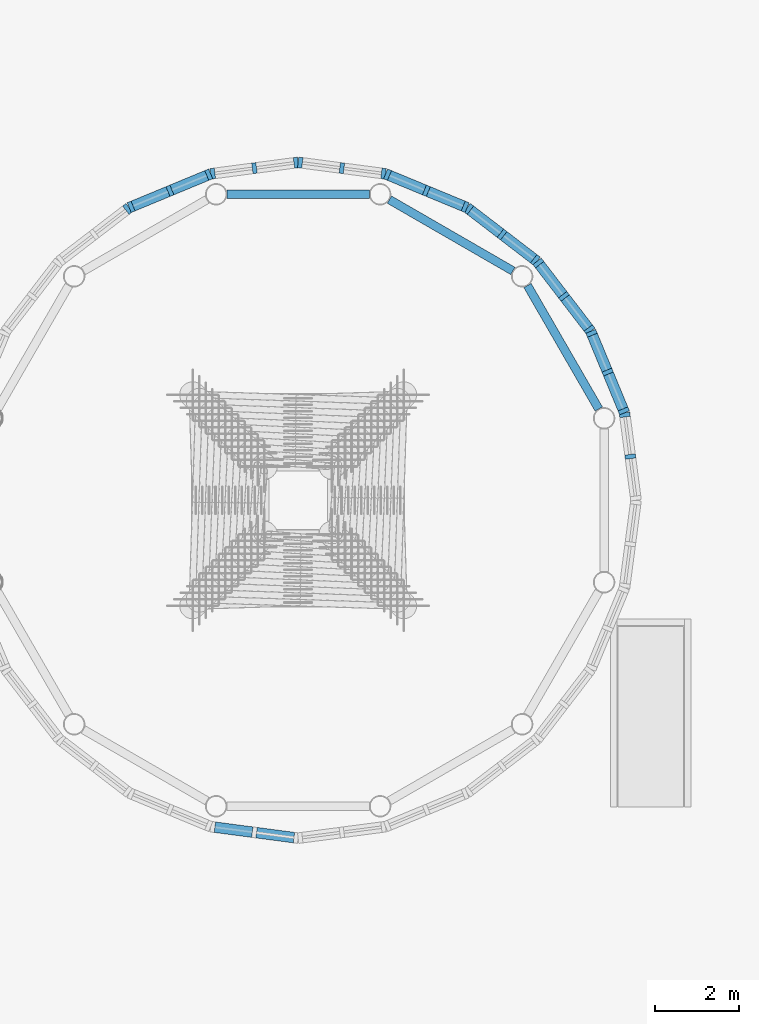
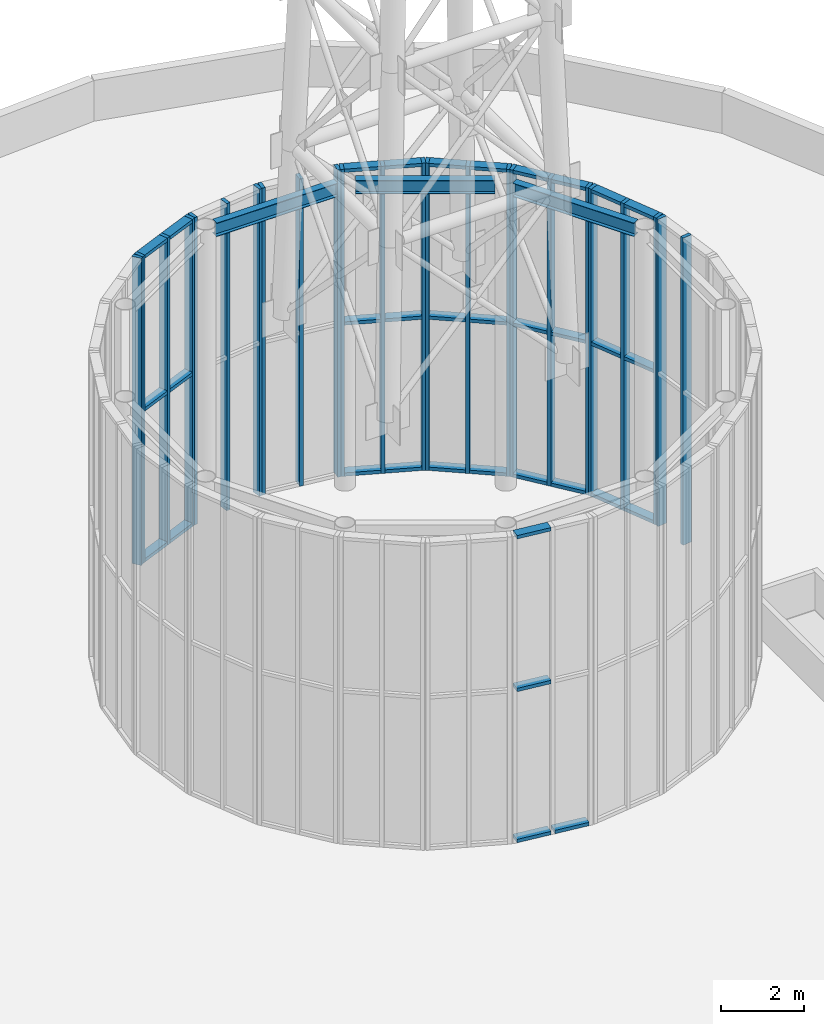
# One storey, part 7 of 11: 58 members, 3 beams, 10 elements without a shape of their own.
"""IFC4 building model written with IfcOpenShell, lengths in metres."""

from ifc_helpers import new_model, si_unit, direction, frame, origin, origin_2d, place, context, subcontext, project, spatial, rectangle, i_section, extrude, material, material_profile, profile_set, type_object, element, aggregate, save


model = new_model("IFC4")

# Units and contexts
model_context = context("Model", 3, precision=1e-05, world=origin(), true_north=direction((0.0, 1.0)))
body_context = subcontext(model_context, "Body", "Model", "MODEL_VIEW")
ifc_project = project(units=[si_unit("LENGTHUNIT", "METRE"), si_unit("AREAUNIT", "SQUARE_METRE"), si_unit("VOLUMEUNIT", "CUBIC_METRE"), si_unit("PLANEANGLEUNIT", "RADIAN"), si_unit("MASSUNIT", "GRAM", prefix="KILO")], contexts=[model_context])

# Site, building, storey
site_placement = place(None, origin())
site = spatial("IfcSite", under=ifc_project, at=site_placement, CompositionType="ELEMENT")
building_placement = place(site_placement, origin())
building = spatial("IfcBuilding", under=site, at=building_placement, Name="Vermilion Reach Broadcast Tower", CompositionType="ELEMENT")
storey_placement = place(building_placement, frame((0.0, 0.0, 329.699951171875)))
storey = spatial("IfcBuildingStorey", under=building, at=storey_placement, Name="RF", CompositionType="ELEMENT", Elevation=329.699951171875)

# Beams
ifc_material_1 = material(Name="Steel S355J2", Category="steel")
ifc_material_profile_1 = material_profile(ifc_material_1, i_section(OverallWidth=0.199951171875, OverallDepth=0.39990234375, WebThickness=0.008056640625, FlangeThickness=0.012939453125, at=origin_2d()), Name="S355J2 HN 400x200x8x13")
ifc_profile_set_1 = profile_set([ifc_material_profile_1], Name="Steel S355J2")
beam_type = type_object("IfcBeamType", Name="DB1 HN 400x200x8x13", PredefinedType="BEAM", material=ifc_profile_set_1)
for number, where, z_axis, x_axis, name in (
    (1, (1.117431640625, 2.1611328125, 8.85009765625), (-0.499983428175, 0.866034971321, 0.0), (-0.866034971321, -0.499983428175, 0.0), "Plant drum ring beam DB1-01"),
    (2, (-0.916748046875, 5.430419921875, 8.85009765625), (-0.866034971321, 0.499983428175, 0.0), (-0.499983428175, -0.866034971321, 0.0), "Plant drum ring beam DB1-02"),
):
    element("IfcBeam", number, at=place(storey_placement, frame(where, z_axis=z_axis, x_axis=x_axis)), inside=storey, type_object=beam_type, Name=name, PredefinedType="BEAM", context=body_context, shape_type="SweptSolid", body=[
        extrude(i_section(OverallWidth=0.199951171875, OverallDepth=0.39990234375, WebThickness=0.008056640625, FlangeThickness=0.012939453125, at=origin_2d()), origin(), (0.0, 0.0, 1.0), 3.3740234375),
    ])
beam_placement = place(storey_placement, frame((-4.312744140625, 7.244384765625, 8.85009765625), z_axis=(-1.0, 0.0, 0.0), x_axis=(0.0, -1.0, 0.0)))
element("IfcBeam", 3, at=beam_placement, inside=storey, type_object=beam_type, Name="Plant drum ring beam DB1-03", PredefinedType="BEAM", context=body_context, shape_type="SweptSolid", body=[
    extrude(i_section(OverallWidth=0.199951171875, OverallDepth=0.39990234375, WebThickness=0.008056640625, FlangeThickness=0.012939453125, at=origin_2d()), origin(), (0.0, 0.0, 1.0), 3.37451171875),
])

# Curtain wall, members
ifc_material_2 = material(Name="Low-e laminated clear glass in aluminium frame", Category="aluminium")
curtain_wall_type = type_object("IfcCurtainWallType", Name="Drum louvre curtain wall", PredefinedType="NOTDEFINED", material=ifc_material_2)
placement = place(storey_placement, origin())
curtain_wall_1 = element("IfcCurtainWall", 4, at=placement, inside=storey, type_object=curtain_wall_type, Name="Drum louvre wall RF 01", PredefinedType="NOTDEFINED")
ifc_material_3 = material(Name="Anodised aluminium", Category="aluminium")
ifc_material_profile_2 = material_profile(ifc_material_3, rectangle(XDim=0.25, YDim=0.10009765625, at=origin_2d()), Name="Drum louvre mullion 100 x 250")
ifc_profile_set_2 = profile_set([ifc_material_profile_2], Name="Anodised aluminium")
member_type_1 = type_object("IfcMemberType", Name="Drum louvre mullion 100 x 250", PredefinedType="MULLION", material=ifc_profile_set_2)
member_1_placement = place(storey_placement, frame((1.86376953125, 1.03515625, 0.0), z_axis=(0.0, 0.0, 1.0), x_axis=(-0.991444861374, -0.13052619222, 0.0)))
member_1 = element("IfcMember", 5, at=member_1_placement, type_object=member_type_1, Name="Drum louvre wall mullion RF 01.2", PredefinedType="MULLION", context=body_context, shape_type="SweptSolid", body=[
    extrude(rectangle(XDim=0.25, YDim=0.10009765625, at=origin_2d()), origin(), (0.0, 0.0, 1.0), 9.050048828125),
])
member_2_placement = place(storey_placement, frame((1.73388671875, 2.02099609375, 0.0), z_axis=(0.0, 0.0, 1.0), x_axis=(-0.991444861374, -0.13052619222, 0.0)))
member_2 = element("IfcMember", 6, at=member_2_placement, type_object=member_type_1, Name="Drum louvre wall mullion RF 01.3", PredefinedType="MULLION", context=body_context, shape_type="SweptSolid", body=[
    extrude(rectangle(XDim=0.25, YDim=0.10009765625, at=origin_2d()), origin(), (0.0, 0.0, 1.0), 9.050048828125),
])
aggregate(curtain_wall_1, [member_1, member_2])

curtain_wall_2 = element("IfcCurtainWall", 7, at=placement, inside=storey, type_object=curtain_wall_type, Name="Drum louvre wall RF 02", PredefinedType="NOTDEFINED")
member_3_placement = place(storey_placement, frame((1.708251953125, 2.11669921875, 0.0), z_axis=(0.0, 0.0, 1.0), x_axis=(-0.923879532511, -0.382683432365, 0.0)))
member_3 = element("IfcMember", 8, at=member_3_placement, type_object=member_type_1, Name="Drum louvre wall mullion RF 02.1", PredefinedType="MULLION", context=body_context, shape_type="SweptSolid", body=[
    extrude(rectangle(XDim=0.25, YDim=0.10009765625, at=origin_2d()), origin(), (0.0, 0.0, 1.0), 9.050048828125),
])
member_4_placement = place(storey_placement, frame((1.327880859375, 3.03515625, 0.0), z_axis=(0.0, 0.0, 1.0), x_axis=(-0.923879532511, -0.382683432365, 0.0)))
member_4 = element("IfcMember", 9, at=member_4_placement, type_object=member_type_1, Name="Drum louvre wall mullion RF 02.2", PredefinedType="MULLION", context=body_context, shape_type="SweptSolid", body=[
    extrude(rectangle(XDim=0.25, YDim=0.10009765625, at=origin_2d()), origin(), (0.0, 0.0, 1.0), 9.050048828125),
])
member_5_placement = place(storey_placement, frame((0.947265625, 3.953857421875, 0.0), z_axis=(0.0, 0.0, 1.0), x_axis=(-0.923879532511, -0.382683432365, 0.0)))
member_5 = element("IfcMember", 10, at=member_5_placement, type_object=member_type_1, Name="Drum louvre wall mullion RF 02.3", PredefinedType="MULLION", context=body_context, shape_type="SweptSolid", body=[
    extrude(rectangle(XDim=0.25, YDim=0.10009765625, at=origin_2d()), origin(), (0.0, 0.0, 1.0), 9.050048828125),
])

curtain_wall_3 = element("IfcCurtainWall", 11, at=placement, inside=storey, type_object=curtain_wall_type, Name="Drum louvre wall RF 03", PredefinedType="NOTDEFINED")
member_6_placement = place(storey_placement, frame((0.897705078125, 4.03955078125, 0.0), z_axis=(0.0, 0.0, 1.0), x_axis=(-0.793353340291, -0.608761429009, 0.0)))
member_6 = element("IfcMember", 12, at=member_6_placement, type_object=member_type_1, Name="Drum louvre wall mullion RF 03.1", PredefinedType="MULLION", context=body_context, shape_type="SweptSolid", body=[
    extrude(rectangle(XDim=0.25, YDim=0.10009765625, at=origin_2d()), origin(), (0.0, 0.0, 1.0), 9.050048828125),
])
member_7_placement = place(storey_placement, frame((0.29248046875, 4.828369140625, 0.0), z_axis=(0.0, 0.0, 1.0), x_axis=(-0.793353340291, -0.608761429009, 0.0)))
member_7 = element("IfcMember", 13, at=member_7_placement, type_object=member_type_1, Name="Drum louvre wall mullion RF 03.2", PredefinedType="MULLION", context=body_context, shape_type="SweptSolid", body=[
    extrude(rectangle(XDim=0.25, YDim=0.10009765625, at=origin_2d()), origin(), (0.0, 0.0, 1.0), 9.050048828125),
])
member_8_placement = place(storey_placement, frame((-0.312744140625, 5.6171875, 0.0), z_axis=(0.0, 0.0, 1.0), x_axis=(-0.793353340291, -0.608761429009, 0.0)))
member_8 = element("IfcMember", 14, at=member_8_placement, type_object=member_type_1, Name="Drum louvre wall mullion RF 03.3", PredefinedType="MULLION", context=body_context, shape_type="SweptSolid", body=[
    extrude(rectangle(XDim=0.25, YDim=0.10009765625, at=origin_2d()), origin(), (0.0, 0.0, 1.0), 9.050048828125),
])

curtain_wall_4 = element("IfcCurtainWall", 15, at=placement, inside=storey, type_object=curtain_wall_type, Name="Drum louvre wall RF 04", PredefinedType="NOTDEFINED")
member_9_placement = place(storey_placement, frame((-0.3828125, 5.687255859375, 0.0), z_axis=(0.0, 0.0, 1.0), x_axis=(-0.608761429009, -0.793353340291, 0.0)))
member_9 = element("IfcMember", 16, at=member_9_placement, type_object=member_type_1, Name="Drum louvre wall mullion RF 04.1", PredefinedType="MULLION", context=body_context, shape_type="SweptSolid", body=[
    extrude(rectangle(XDim=0.25, YDim=0.10009765625, at=origin_2d()), origin(), (0.0, 0.0, 1.0), 9.050048828125),
])
member_10_placement = place(storey_placement, frame((-1.171630859375, 6.29248046875, 0.0), z_axis=(0.0, 0.0, 1.0), x_axis=(-0.608761429009, -0.793353340291, 0.0)))
member_10 = element("IfcMember", 17, at=member_10_placement, type_object=member_type_1, Name="Drum louvre wall mullion RF 04.2", PredefinedType="MULLION", context=body_context, shape_type="SweptSolid", body=[
    extrude(rectangle(XDim=0.25, YDim=0.10009765625, at=origin_2d()), origin(), (0.0, 0.0, 1.0), 9.050048828125),
])
member_11_placement = place(storey_placement, frame((-1.96044921875, 6.897705078125, 0.0), z_axis=(0.0, 0.0, 1.0), x_axis=(-0.608761429009, -0.793353340291, 0.0)))
member_11 = element("IfcMember", 18, at=member_11_placement, type_object=member_type_1, Name="Drum louvre wall mullion RF 04.3", PredefinedType="MULLION", context=body_context, shape_type="SweptSolid", body=[
    extrude(rectangle(XDim=0.25, YDim=0.10009765625, at=origin_2d()), origin(), (0.0, 0.0, 1.0), 9.050048828125),
])

curtain_wall_5 = element("IfcCurtainWall", 19, at=placement, inside=storey, type_object=curtain_wall_type, Name="Drum louvre wall RF 05", PredefinedType="NOTDEFINED")
member_12_placement = place(storey_placement, frame((-2.046142578125, 6.947265625, 0.0), z_axis=(0.0, 0.0, 1.0), x_axis=(-0.382683432365, -0.923879532511, 0.0)))
member_12 = element("IfcMember", 20, at=member_12_placement, type_object=member_type_1, Name="Drum louvre wall mullion RF 05.1", PredefinedType="MULLION", context=body_context, shape_type="SweptSolid", body=[
    extrude(rectangle(XDim=0.25, YDim=0.10009765625, at=origin_2d()), origin(), (0.0, 0.0, 1.0), 9.050048828125),
])
member_13_placement = place(storey_placement, frame((-2.96484375, 7.327880859375, 0.0), z_axis=(0.0, 0.0, 1.0), x_axis=(-0.382683432365, -0.923879532511, 0.0)))
member_13 = element("IfcMember", 21, at=member_13_placement, type_object=member_type_1, Name="Drum louvre wall mullion RF 05.2", PredefinedType="MULLION", context=body_context, shape_type="SweptSolid", body=[
    extrude(rectangle(XDim=0.25, YDim=0.10009765625, at=origin_2d()), origin(), (0.0, 0.0, 1.0), 9.050048828125),
])
member_14_placement = place(storey_placement, frame((-3.88330078125, 7.708251953125, 0.0), z_axis=(0.0, 0.0, 1.0), x_axis=(-0.382683432365, -0.923879532511, 0.0)))
member_14 = element("IfcMember", 22, at=member_14_placement, type_object=member_type_1, Name="Drum louvre wall mullion RF 05.3", PredefinedType="MULLION", context=body_context, shape_type="SweptSolid", body=[
    extrude(rectangle(XDim=0.25, YDim=0.10009765625, at=origin_2d()), origin(), (0.0, 0.0, 1.0), 9.050048828125),
])

curtain_wall_6 = element("IfcCurtainWall", 23, at=placement, inside=storey, type_object=curtain_wall_type, Name="Drum louvre wall RF 06", PredefinedType="NOTDEFINED")
member_15_placement = place(storey_placement, frame((-3.97900390625, 7.73388671875, 0.0), z_axis=(0.0, 0.0, 1.0), x_axis=(-0.13052619222, -0.991444861374, 0.0)))
member_15 = element("IfcMember", 24, at=member_15_placement, type_object=member_type_1, Name="Drum louvre wall mullion RF 06.1", PredefinedType="MULLION", context=body_context, shape_type="SweptSolid", body=[
    extrude(rectangle(XDim=0.25, YDim=0.10009765625, at=origin_2d()), origin(), (0.0, 0.0, 1.0), 9.050048828125),
])
member_16_placement = place(storey_placement, frame((-4.96484375, 7.86376953125, 0.0), z_axis=(0.0, 0.0, 1.0), x_axis=(-0.13052619222, -0.991444861374, 0.0)))
member_16 = element("IfcMember", 25, at=member_16_placement, type_object=member_type_1, Name="Drum louvre wall mullion RF 06.2", PredefinedType="MULLION", context=body_context, shape_type="SweptSolid", body=[
    extrude(rectangle(XDim=0.25, YDim=0.10009765625, at=origin_2d()), origin(), (0.0, 0.0, 1.0), 9.050048828125),
])
member_17_placement = place(storey_placement, frame((-5.950439453125, 7.993408203125, 0.0), z_axis=(0.0, 0.0, 1.0), x_axis=(-0.13052619222, -0.991444861374, 0.0)))
member_17 = element("IfcMember", 26, at=member_17_placement, type_object=member_type_1, Name="Drum louvre wall mullion RF 06.3", PredefinedType="MULLION", context=body_context, shape_type="SweptSolid", body=[
    extrude(rectangle(XDim=0.25, YDim=0.10009765625, at=origin_2d()), origin(), (0.0, 0.0, 1.0), 9.050048828125),
])
aggregate(curtain_wall_6, [member_15, member_16, member_17])

curtain_wall_7 = element("IfcCurtainWall", 27, at=placement, inside=storey, type_object=curtain_wall_type, Name="Drum louvre wall RF 07", PredefinedType="NOTDEFINED")
member_18_placement = place(storey_placement, frame((-6.049560546875, 7.993408203125, 0.0), z_axis=(0.0, 0.0, 1.0), x_axis=(0.13052619222, -0.991444861374, 0.0)))
member_18 = element("IfcMember", 28, at=member_18_placement, type_object=member_type_1, Name="Drum louvre wall mullion RF 07.1", PredefinedType="MULLION", context=body_context, shape_type="SweptSolid", body=[
    extrude(rectangle(XDim=0.25, YDim=0.10009765625, at=origin_2d()), origin(), (0.0, 0.0, 1.0), 9.050048828125),
])
member_19_placement = place(storey_placement, frame((-7.03515625, 7.86376953125, 0.0), z_axis=(0.0, 0.0, 1.0), x_axis=(0.13052619222, -0.991444861374, 0.0)))
member_19 = element("IfcMember", 29, at=member_19_placement, type_object=member_type_1, Name="Drum louvre wall mullion RF 07.2", PredefinedType="MULLION", context=body_context, shape_type="SweptSolid", body=[
    extrude(rectangle(XDim=0.25, YDim=0.10009765625, at=origin_2d()), origin(), (0.0, 0.0, 1.0), 9.050048828125),
])
member_20_placement = place(storey_placement, frame((-8.02099609375, 7.73388671875, 0.0), z_axis=(0.0, 0.0, 1.0), x_axis=(0.13052619222, -0.991444861374, 0.0)))
member_20 = element("IfcMember", 30, at=member_20_placement, type_object=member_type_1, Name="Drum louvre wall mullion RF 07.3", PredefinedType="MULLION", context=body_context, shape_type="SweptSolid", body=[
    extrude(rectangle(XDim=0.25, YDim=0.10009765625, at=origin_2d()), origin(), (0.0, 0.0, 1.0), 9.050048828125),
])
aggregate(curtain_wall_7, [member_18, member_19, member_20])

curtain_wall_8 = element("IfcCurtainWall", 31, at=placement, inside=storey, type_object=curtain_wall_type, Name="Drum louvre wall RF 08", PredefinedType="NOTDEFINED")
member_21_placement = place(storey_placement, frame((-8.11669921875, 7.708251953125, 0.0), z_axis=(0.0, 0.0, 1.0), x_axis=(0.382683432365, -0.923879532511, 0.0)))
member_21 = element("IfcMember", 32, at=member_21_placement, type_object=member_type_1, Name="Drum louvre wall mullion RF 08.1", PredefinedType="MULLION", context=body_context, shape_type="SweptSolid", body=[
    extrude(rectangle(XDim=0.25, YDim=0.10009765625, at=origin_2d()), origin(), (0.0, 0.0, 1.0), 9.050048828125),
])
member_22_placement = place(storey_placement, frame((-9.03515625, 7.327880859375, 0.0), z_axis=(0.0, 0.0, 1.0), x_axis=(0.382683432365, -0.923879532511, 0.0)))
member_22 = element("IfcMember", 33, at=member_22_placement, type_object=member_type_1, Name="Drum louvre wall mullion RF 08.2", PredefinedType="MULLION", context=body_context, shape_type="SweptSolid", body=[
    extrude(rectangle(XDim=0.25, YDim=0.10009765625, at=origin_2d()), origin(), (0.0, 0.0, 1.0), 9.050048828125),
])
member_23_placement = place(storey_placement, frame((-9.953857421875, 6.947265625, 0.0), z_axis=(0.0, 0.0, 1.0), x_axis=(0.382683432365, -0.923879532511, 0.0)))
member_23 = element("IfcMember", 34, at=member_23_placement, type_object=member_type_1, Name="Drum louvre wall mullion RF 08.3", PredefinedType="MULLION", context=body_context, shape_type="SweptSolid", body=[
    extrude(rectangle(XDim=0.25, YDim=0.10009765625, at=origin_2d()), origin(), (0.0, 0.0, 1.0), 9.050048828125),
])

# Curtain wall, member
curtain_wall_9 = element("IfcCurtainWall", 35, at=placement, inside=storey, type_object=curtain_wall_type, Name="Drum louvre wall RF 09", PredefinedType="NOTDEFINED")
member_24_placement = place(storey_placement, frame((-10.03955078125, 6.897705078125, 0.0), z_axis=(0.0, 0.0, 1.0), x_axis=(0.608761429009, -0.793353340291, 0.0)))
member_24 = element("IfcMember", 36, at=member_24_placement, type_object=member_type_1, Name="Drum louvre wall mullion RF 09.1", PredefinedType="MULLION", context=body_context, shape_type="SweptSolid", body=[
    extrude(rectangle(XDim=0.25, YDim=0.10009765625, at=origin_2d()), origin(), (0.0, 0.0, 1.0), 9.050048828125),
])
aggregate(curtain_wall_9, [member_24])

# Member
ifc_material_4 = material(Name="Anodised aluminium", Category="aluminium")
ifc_material_profile_3 = material_profile(ifc_material_4, rectangle(XDim=0.25, YDim=0.10009765625, at=origin_2d()), Name="Drum louvre transom 250 x 100")
ifc_profile_set_3 = profile_set([ifc_material_profile_3], Name="Anodised aluminium")
member_type_2 = type_object("IfcMemberType", Name="Drum louvre transom 250 x 100", PredefinedType="USERDEFINED", material=ifc_profile_set_3)
member_25_placement = place(storey_placement, frame((1.689208984375, 2.162841796875, 0.050048828125), z_axis=(-0.382753642759, 0.923850447288, 0.0), x_axis=(-0.923850447288, -0.382753642759, 0.0)))
member_25 = element("IfcMember", 37, at=member_25_placement, type_object=member_type_2, Name="Drum louvre wall transom RF 02.1.1", ObjectType="TRANSOM", PredefinedType="USERDEFINED", context=body_context, shape_type="SweptSolid", body=[
    extrude(rectangle(XDim=0.25, YDim=0.10009765625, at=origin_2d()), origin(), (0.0, 0.0, 1.0), 0.894287109375),
])

member_26_placement = place(storey_placement, frame((1.689208984375, 2.162841796875, 4.5), z_axis=(-0.382753642759, 0.923850447288, 0.0), x_axis=(-0.923850447288, -0.382753642759, 0.0)))
member_26 = element("IfcMember", 38, at=member_26_placement, type_object=member_type_2, Name="Drum louvre wall transom RF 02.1.2", ObjectType="TRANSOM", PredefinedType="USERDEFINED", context=body_context, shape_type="SweptSolid", body=[
    extrude(rectangle(XDim=0.25, YDim=0.10009765625, at=origin_2d()), origin(), (0.0, 0.0, 1.0), 0.894287109375),
])

member_27_placement = place(storey_placement, frame((1.689208984375, 2.162841796875, 9.0), z_axis=(-0.382753642759, 0.923850447288, 0.0), x_axis=(-0.923850447288, -0.382753642759, 0.0)))
member_27 = element("IfcMember", 39, at=member_27_placement, type_object=member_type_2, Name="Drum louvre wall transom RF 02.1.3", ObjectType="TRANSOM", PredefinedType="USERDEFINED", context=body_context, shape_type="SweptSolid", body=[
    extrude(rectangle(XDim=0.25, YDim=0.10009765625, at=origin_2d()), origin(), (0.0, 0.0, 1.0), 0.894287109375),
])

member_28_placement = place(storey_placement, frame((1.30859375, 3.08154296875, 0.050048828125), z_axis=(-0.382520596183, 0.923946964655, 0.0), x_axis=(-0.923946964655, -0.382520596183, 0.0)))
member_28 = element("IfcMember", 40, at=member_28_placement, type_object=member_type_2, Name="Drum louvre wall transom RF 02.2.1", ObjectType="TRANSOM", PredefinedType="USERDEFINED", context=body_context, shape_type="SweptSolid", body=[
    extrude(rectangle(XDim=0.25, YDim=0.10009765625, at=origin_2d()), origin(), (0.0, 0.0, 1.0), 0.894287109375),
])

member_29_placement = place(storey_placement, frame((1.30859375, 3.08154296875, 4.5), z_axis=(-0.382520596183, 0.923946964655, 0.0), x_axis=(-0.923946964655, -0.382520596183, 0.0)))
member_29 = element("IfcMember", 41, at=member_29_placement, type_object=member_type_2, Name="Drum louvre wall transom RF 02.2.2", ObjectType="TRANSOM", PredefinedType="USERDEFINED", context=body_context, shape_type="SweptSolid", body=[
    extrude(rectangle(XDim=0.25, YDim=0.10009765625, at=origin_2d()), origin(), (0.0, 0.0, 1.0), 0.894287109375),
])

member_30_placement = place(storey_placement, frame((1.30859375, 3.08154296875, 9.0), z_axis=(-0.382520596183, 0.923946964655, 0.0), x_axis=(-0.923946964655, -0.382520596183, 0.0)))
member_30 = element("IfcMember", 42, at=member_30_placement, type_object=member_type_2, Name="Drum louvre wall transom RF 02.2.3", ObjectType="TRANSOM", PredefinedType="USERDEFINED", context=body_context, shape_type="SweptSolid", body=[
    extrude(rectangle(XDim=0.25, YDim=0.10009765625, at=origin_2d()), origin(), (0.0, 0.0, 1.0), 0.894287109375),
])

aggregate(curtain_wall_2, [member_3, member_4, member_5, member_25, member_26, member_27, member_28, member_29, member_30])

member_31_placement = place(storey_placement, frame((0.867431640625, 4.079345703125, 0.050048828125), z_axis=(-0.60878682021, 0.793333856292, 0.0), x_axis=(-0.793333856292, -0.60878682021, 0.0)))
member_31 = element("IfcMember", 43, at=member_31_placement, type_object=member_type_2, Name="Drum louvre wall transom RF 03.1.1", ObjectType="TRANSOM", PredefinedType="USERDEFINED", context=body_context, shape_type="SweptSolid", body=[
    extrude(rectangle(XDim=0.25, YDim=0.10009765625, at=origin_2d()), origin(), (0.0, 0.0, 1.0), 0.894287109375),
])

member_32_placement = place(storey_placement, frame((0.867431640625, 4.079345703125, 4.5), z_axis=(-0.60878682021, 0.793333856292, 0.0), x_axis=(-0.793333856292, -0.60878682021, 0.0)))
member_32 = element("IfcMember", 44, at=member_32_placement, type_object=member_type_2, Name="Drum louvre wall transom RF 03.1.2", ObjectType="TRANSOM", PredefinedType="USERDEFINED", context=body_context, shape_type="SweptSolid", body=[
    extrude(rectangle(XDim=0.25, YDim=0.10009765625, at=origin_2d()), origin(), (0.0, 0.0, 1.0), 0.894287109375),
])

member_33_placement = place(storey_placement, frame((0.867431640625, 4.079345703125, 9.0), z_axis=(-0.60878682021, 0.793333856292, 0.0), x_axis=(-0.793333856292, -0.60878682021, 0.0)))
member_33 = element("IfcMember", 45, at=member_33_placement, type_object=member_type_2, Name="Drum louvre wall transom RF 03.1.3", ObjectType="TRANSOM", PredefinedType="USERDEFINED", context=body_context, shape_type="SweptSolid", body=[
    extrude(rectangle(XDim=0.25, YDim=0.10009765625, at=origin_2d()), origin(), (0.0, 0.0, 1.0), 0.894287109375),
])

member_34_placement = place(storey_placement, frame((0.26220703125, 4.8681640625, 0.050048828125), z_axis=(-0.60878682021, 0.793333856292, 0.0), x_axis=(-0.793333856292, -0.60878682021, 0.0)))
member_34 = element("IfcMember", 46, at=member_34_placement, type_object=member_type_2, Name="Drum louvre wall transom RF 03.2.1", ObjectType="TRANSOM", PredefinedType="USERDEFINED", context=body_context, shape_type="SweptSolid", body=[
    extrude(rectangle(XDim=0.25, YDim=0.10009765625, at=origin_2d()), origin(), (0.0, 0.0, 1.0), 0.894287109375),
])

member_35_placement = place(storey_placement, frame((0.26220703125, 4.8681640625, 4.5), z_axis=(-0.60878682021, 0.793333856292, 0.0), x_axis=(-0.793333856292, -0.60878682021, 0.0)))
member_35 = element("IfcMember", 47, at=member_35_placement, type_object=member_type_2, Name="Drum louvre wall transom RF 03.2.2", ObjectType="TRANSOM", PredefinedType="USERDEFINED", context=body_context, shape_type="SweptSolid", body=[
    extrude(rectangle(XDim=0.25, YDim=0.10009765625, at=origin_2d()), origin(), (0.0, 0.0, 1.0), 0.894287109375),
])

member_36_placement = place(storey_placement, frame((0.26220703125, 4.8681640625, 9.0), z_axis=(-0.60878682021, 0.793333856292, 0.0), x_axis=(-0.793333856292, -0.60878682021, 0.0)))
member_36 = element("IfcMember", 48, at=member_36_placement, type_object=member_type_2, Name="Drum louvre wall transom RF 03.2.3", ObjectType="TRANSOM", PredefinedType="USERDEFINED", context=body_context, shape_type="SweptSolid", body=[
    extrude(rectangle(XDim=0.25, YDim=0.10009765625, at=origin_2d()), origin(), (0.0, 0.0, 1.0), 0.894287109375),
])

aggregate(curtain_wall_3, [member_6, member_7, member_8, member_31, member_32, member_33, member_34, member_35, member_36])

member_37_placement = place(storey_placement, frame((-0.42236328125, 5.7177734375, 0.050048828125), z_axis=(-0.793333856292, 0.60878682021, 0.0), x_axis=(-0.60878682021, -0.793333856292, 0.0)))
member_37 = element("IfcMember", 49, at=member_37_placement, type_object=member_type_2, Name="Drum louvre wall transom RF 04.1.1", ObjectType="TRANSOM", PredefinedType="USERDEFINED", context=body_context, shape_type="SweptSolid", body=[
    extrude(rectangle(XDim=0.25, YDim=0.10009765625, at=origin_2d()), origin(), (0.0, 0.0, 1.0), 0.894287109375),
])

member_38_placement = place(storey_placement, frame((-0.42236328125, 5.7177734375, 4.5), z_axis=(-0.793333856292, 0.60878682021, 0.0), x_axis=(-0.60878682021, -0.793333856292, 0.0)))
member_38 = element("IfcMember", 50, at=member_38_placement, type_object=member_type_2, Name="Drum louvre wall transom RF 04.1.2", ObjectType="TRANSOM", PredefinedType="USERDEFINED", context=body_context, shape_type="SweptSolid", body=[
    extrude(rectangle(XDim=0.25, YDim=0.10009765625, at=origin_2d()), origin(), (0.0, 0.0, 1.0), 0.894287109375),
])

member_39_placement = place(storey_placement, frame((-0.42236328125, 5.7177734375, 9.0), z_axis=(-0.793333856292, 0.60878682021, 0.0), x_axis=(-0.60878682021, -0.793333856292, 0.0)))
member_39 = element("IfcMember", 51, at=member_39_placement, type_object=member_type_2, Name="Drum louvre wall transom RF 04.1.3", ObjectType="TRANSOM", PredefinedType="USERDEFINED", context=body_context, shape_type="SweptSolid", body=[
    extrude(rectangle(XDim=0.25, YDim=0.10009765625, at=origin_2d()), origin(), (0.0, 0.0, 1.0), 0.894287109375),
])

member_40_placement = place(storey_placement, frame((-1.211181640625, 6.322998046875, 0.050048828125), z_axis=(-0.793333856292, 0.60878682021, 0.0), x_axis=(-0.60878682021, -0.793333856292, 0.0)))
member_40 = element("IfcMember", 52, at=member_40_placement, type_object=member_type_2, Name="Drum louvre wall transom RF 04.2.1", ObjectType="TRANSOM", PredefinedType="USERDEFINED", context=body_context, shape_type="SweptSolid", body=[
    extrude(rectangle(XDim=0.25, YDim=0.10009765625, at=origin_2d()), origin(), (0.0, 0.0, 1.0), 0.894287109375),
])

member_41_placement = place(storey_placement, frame((-1.211181640625, 6.322998046875, 4.5), z_axis=(-0.793333856292, 0.60878682021, 0.0), x_axis=(-0.60878682021, -0.793333856292, 0.0)))
member_41 = element("IfcMember", 53, at=member_41_placement, type_object=member_type_2, Name="Drum louvre wall transom RF 04.2.2", ObjectType="TRANSOM", PredefinedType="USERDEFINED", context=body_context, shape_type="SweptSolid", body=[
    extrude(rectangle(XDim=0.25, YDim=0.10009765625, at=origin_2d()), origin(), (0.0, 0.0, 1.0), 0.894287109375),
])

member_42_placement = place(storey_placement, frame((-1.211181640625, 6.322998046875, 9.0), z_axis=(-0.793333856292, 0.60878682021, 0.0), x_axis=(-0.60878682021, -0.793333856292, 0.0)))
member_42 = element("IfcMember", 54, at=member_42_placement, type_object=member_type_2, Name="Drum louvre wall transom RF 04.2.3", ObjectType="TRANSOM", PredefinedType="USERDEFINED", context=body_context, shape_type="SweptSolid", body=[
    extrude(rectangle(XDim=0.25, YDim=0.10009765625, at=origin_2d()), origin(), (0.0, 0.0, 1.0), 0.894287109375),
])

aggregate(curtain_wall_4, [member_9, member_10, member_11, member_37, member_38, member_39, member_40, member_41, member_42])

member_43_placement = place(storey_placement, frame((-2.09228515625, 6.966552734375, 0.050048828125), z_axis=(-0.923946964655, 0.382520596183, 0.0), x_axis=(-0.382520596183, -0.923946964655, 0.0)))
member_43 = element("IfcMember", 55, at=member_43_placement, type_object=member_type_2, Name="Drum louvre wall transom RF 05.1.1", ObjectType="TRANSOM", PredefinedType="USERDEFINED", context=body_context, shape_type="SweptSolid", body=[
    extrude(rectangle(XDim=0.25, YDim=0.10009765625, at=origin_2d()), origin(), (0.0, 0.0, 1.0), 0.894287109375),
])

member_44_placement = place(storey_placement, frame((-2.09228515625, 6.966552734375, 4.5), z_axis=(-0.923946964655, 0.382520596183, 0.0), x_axis=(-0.382520596183, -0.923946964655, 0.0)))
member_44 = element("IfcMember", 56, at=member_44_placement, type_object=member_type_2, Name="Drum louvre wall transom RF 05.1.2", ObjectType="TRANSOM", PredefinedType="USERDEFINED", context=body_context, shape_type="SweptSolid", body=[
    extrude(rectangle(XDim=0.25, YDim=0.10009765625, at=origin_2d()), origin(), (0.0, 0.0, 1.0), 0.894287109375),
])

member_45_placement = place(storey_placement, frame((-2.09228515625, 6.966552734375, 9.0), z_axis=(-0.923946964655, 0.382520596183, 0.0), x_axis=(-0.382520596183, -0.923946964655, 0.0)))
member_45 = element("IfcMember", 57, at=member_45_placement, type_object=member_type_2, Name="Drum louvre wall transom RF 05.1.3", ObjectType="TRANSOM", PredefinedType="USERDEFINED", context=body_context, shape_type="SweptSolid", body=[
    extrude(rectangle(XDim=0.25, YDim=0.10009765625, at=origin_2d()), origin(), (0.0, 0.0, 1.0), 0.894287109375),
])

member_46_placement = place(storey_placement, frame((-3.010986328125, 7.346923828125, 0.050048828125), z_axis=(-0.923850447288, 0.382753642759, 0.0), x_axis=(-0.382753642759, -0.923850447288, 0.0)))
member_46 = element("IfcMember", 58, at=member_46_placement, type_object=member_type_2, Name="Drum louvre wall transom RF 05.2.1", ObjectType="TRANSOM", PredefinedType="USERDEFINED", context=body_context, shape_type="SweptSolid", body=[
    extrude(rectangle(XDim=0.25, YDim=0.10009765625, at=origin_2d()), origin(), (0.0, 0.0, 1.0), 0.894287109375),
])

member_47_placement = place(storey_placement, frame((-3.010986328125, 7.346923828125, 4.5), z_axis=(-0.923850447288, 0.382753642759, 0.0), x_axis=(-0.382753642759, -0.923850447288, 0.0)))
member_47 = element("IfcMember", 59, at=member_47_placement, type_object=member_type_2, Name="Drum louvre wall transom RF 05.2.2", ObjectType="TRANSOM", PredefinedType="USERDEFINED", context=body_context, shape_type="SweptSolid", body=[
    extrude(rectangle(XDim=0.25, YDim=0.10009765625, at=origin_2d()), origin(), (0.0, 0.0, 1.0), 0.894287109375),
])

member_48_placement = place(storey_placement, frame((-3.010986328125, 7.346923828125, 9.0), z_axis=(-0.923850447288, 0.382753642759, 0.0), x_axis=(-0.382753642759, -0.923850447288, 0.0)))
member_48 = element("IfcMember", 60, at=member_48_placement, type_object=member_type_2, Name="Drum louvre wall transom RF 05.2.3", ObjectType="TRANSOM", PredefinedType="USERDEFINED", context=body_context, shape_type="SweptSolid", body=[
    extrude(rectangle(XDim=0.25, YDim=0.10009765625, at=origin_2d()), origin(), (0.0, 0.0, 1.0), 0.894287109375),
])

aggregate(curtain_wall_5, [member_12, member_13, member_14, member_43, member_44, member_45, member_46, member_47, member_48])

member_49_placement = place(storey_placement, frame((-8.162841796875, 7.689208984375, 0.050048828125), z_axis=(-0.923850447288, -0.382753642759, 0.0), x_axis=(0.382753642759, -0.923850447288, 0.0)))
member_49 = element("IfcMember", 61, at=member_49_placement, type_object=member_type_2, Name="Drum louvre wall transom RF 08.1.1", ObjectType="TRANSOM", PredefinedType="USERDEFINED", context=body_context, shape_type="SweptSolid", body=[
    extrude(rectangle(XDim=0.25, YDim=0.10009765625, at=origin_2d()), origin(), (0.0, 0.0, 1.0), 0.894287109375),
])

member_50_placement = place(storey_placement, frame((-8.162841796875, 7.689208984375, 4.5), z_axis=(-0.923850447288, -0.382753642759, 0.0), x_axis=(0.382753642759, -0.923850447288, 0.0)))
member_50 = element("IfcMember", 62, at=member_50_placement, type_object=member_type_2, Name="Drum louvre wall transom RF 08.1.2", ObjectType="TRANSOM", PredefinedType="USERDEFINED", context=body_context, shape_type="SweptSolid", body=[
    extrude(rectangle(XDim=0.25, YDim=0.10009765625, at=origin_2d()), origin(), (0.0, 0.0, 1.0), 0.894287109375),
])

member_51_placement = place(storey_placement, frame((-8.162841796875, 7.689208984375, 9.0), z_axis=(-0.923850447288, -0.382753642759, 0.0), x_axis=(0.382753642759, -0.923850447288, 0.0)))
member_51 = element("IfcMember", 63, at=member_51_placement, type_object=member_type_2, Name="Drum louvre wall transom RF 08.1.3", ObjectType="TRANSOM", PredefinedType="USERDEFINED", context=body_context, shape_type="SweptSolid", body=[
    extrude(rectangle(XDim=0.25, YDim=0.10009765625, at=origin_2d()), origin(), (0.0, 0.0, 1.0), 0.894287109375),
])

member_52_placement = place(storey_placement, frame((-9.08154296875, 7.30859375, 0.050048828125), z_axis=(-0.923946964655, -0.382520596183, 0.0), x_axis=(0.382520596183, -0.923946964655, 0.0)))
member_52 = element("IfcMember", 64, at=member_52_placement, type_object=member_type_2, Name="Drum louvre wall transom RF 08.2.1", ObjectType="TRANSOM", PredefinedType="USERDEFINED", context=body_context, shape_type="SweptSolid", body=[
    extrude(rectangle(XDim=0.25, YDim=0.10009765625, at=origin_2d()), origin(), (0.0, 0.0, 1.0), 0.894287109375),
])

member_53_placement = place(storey_placement, frame((-9.08154296875, 7.30859375, 4.5), z_axis=(-0.923946964655, -0.382520596183, 0.0), x_axis=(0.382520596183, -0.923946964655, 0.0)))
member_53 = element("IfcMember", 65, at=member_53_placement, type_object=member_type_2, Name="Drum louvre wall transom RF 08.2.2", ObjectType="TRANSOM", PredefinedType="USERDEFINED", context=body_context, shape_type="SweptSolid", body=[
    extrude(rectangle(XDim=0.25, YDim=0.10009765625, at=origin_2d()), origin(), (0.0, 0.0, 1.0), 0.894287109375),
])

member_54_placement = place(storey_placement, frame((-9.08154296875, 7.30859375, 9.0), z_axis=(-0.923946964655, -0.382520596183, 0.0), x_axis=(0.382520596183, -0.923946964655, 0.0)))
member_54 = element("IfcMember", 66, at=member_54_placement, type_object=member_type_2, Name="Drum louvre wall transom RF 08.2.3", ObjectType="TRANSOM", PredefinedType="USERDEFINED", context=body_context, shape_type="SweptSolid", body=[
    extrude(rectangle(XDim=0.25, YDim=0.10009765625, at=origin_2d()), origin(), (0.0, 0.0, 1.0), 0.894287109375),
])

aggregate(curtain_wall_8, [member_21, member_22, member_23, member_49, member_50, member_51, member_52, member_53, member_54])

# Curtain wall, members
curtain_wall_10 = element("IfcCurtainWall", 67, at=placement, inside=storey, type_object=curtain_wall_type, Name="Drum louvre wall RF 18", PredefinedType="NOTDEFINED")
member_55_placement = place(storey_placement, frame((-7.971435546875, -7.740478515625, 0.050048828125), z_axis=(0.991445929129, -0.130518081554, 0.0), x_axis=(0.130518081554, 0.991445929129, 0.0)))
member_55 = element("IfcMember", 68, at=member_55_placement, type_object=member_type_2, Name="Drum louvre wall transom RF 18.1.1", ObjectType="TRANSOM", PredefinedType="USERDEFINED", context=body_context, shape_type="SweptSolid", body=[
    extrude(rectangle(XDim=0.25, YDim=0.10009765625, at=origin_2d()), origin(), (0.0, 0.0, 1.0), 0.89404296875),
])
member_56_placement = place(storey_placement, frame((-7.971435546875, -7.740478515625, 4.5), z_axis=(0.991445929129, -0.130518081554, 0.0), x_axis=(0.130518081554, 0.991445929129, 0.0)))
member_56 = element("IfcMember", 69, at=member_56_placement, type_object=member_type_2, Name="Drum louvre wall transom RF 18.1.2", ObjectType="TRANSOM", PredefinedType="USERDEFINED", context=body_context, shape_type="SweptSolid", body=[
    extrude(rectangle(XDim=0.25, YDim=0.10009765625, at=origin_2d()), origin(), (0.0, 0.0, 1.0), 0.89404296875),
])
member_57_placement = place(storey_placement, frame((-7.971435546875, -7.740478515625, 9.0), z_axis=(0.991445929129, -0.130518081554, 0.0), x_axis=(0.130518081554, 0.991445929129, 0.0)))
member_57 = element("IfcMember", 70, at=member_57_placement, type_object=member_type_2, Name="Drum louvre wall transom RF 18.1.3", ObjectType="TRANSOM", PredefinedType="USERDEFINED", context=body_context, shape_type="SweptSolid", body=[
    extrude(rectangle(XDim=0.25, YDim=0.10009765625, at=origin_2d()), origin(), (0.0, 0.0, 1.0), 0.89404296875),
])
member_58_placement = place(storey_placement, frame((-6.985595703125, -7.8701171875, 0.050048828125), z_axis=(0.991410560901, -0.130786466172, 0.0), x_axis=(0.130786466172, 0.991410560901, 0.0)))
member_58 = element("IfcMember", 71, at=member_58_placement, type_object=member_type_2, Name="Drum louvre wall transom RF 18.2.1", ObjectType="TRANSOM", PredefinedType="USERDEFINED", context=body_context, shape_type="SweptSolid", body=[
    extrude(rectangle(XDim=0.25, YDim=0.10009765625, at=origin_2d()), origin(), (0.0, 0.0, 1.0), 0.89404296875),
])
aggregate(curtain_wall_10, [member_55, member_56, member_57, member_58])

save(model, "model.ifc")
